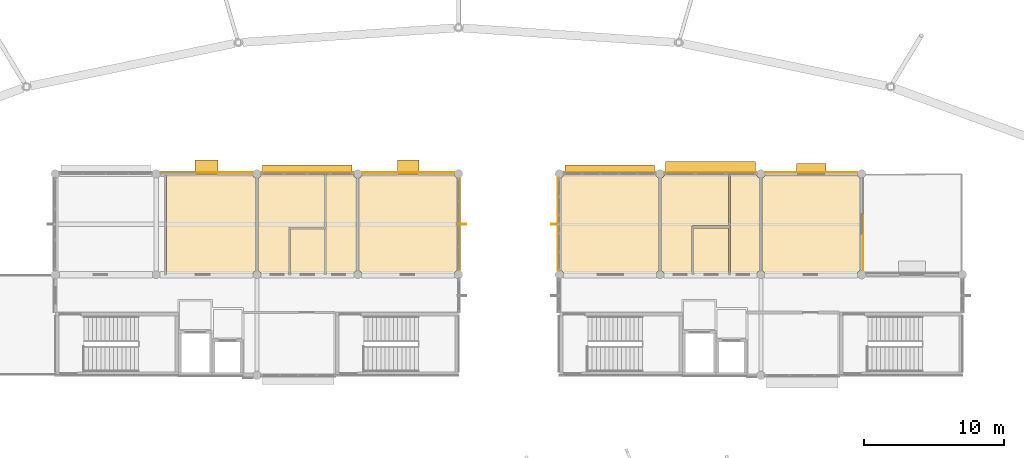
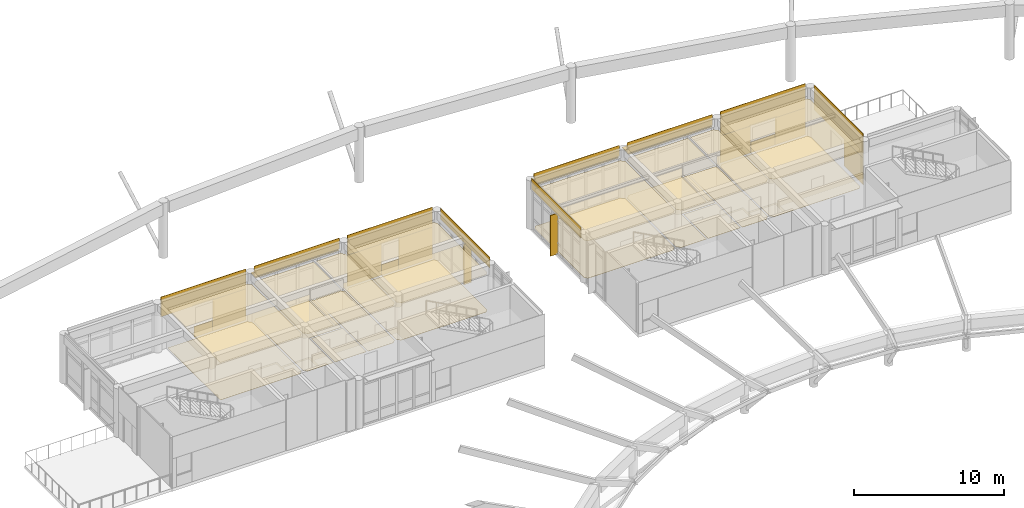
# One storey, part 36 of 37: 38 coverings, 8 shading devices.
"""IFC4 building model written with IfcOpenShell, lengths in metres."""

from ifc_helpers import new_model, si_unit, direction, frame, origin, origin_2d, place, context, subcontext, project, spatial, polyline, rectangle, outline, extrude, material, layer, layer_set, type_object, element, save


model = new_model("IFC4")

# Units and contexts
model_context = context("Model", 3, precision=1e-05, world=origin(), true_north=direction((0.0, 1.0)))
body_context = subcontext(model_context, "Body", "Model", "MODEL_VIEW")
ifc_project = project(units=[si_unit("LENGTHUNIT", "METRE"), si_unit("AREAUNIT", "SQUARE_METRE"), si_unit("VOLUMEUNIT", "CUBIC_METRE"), si_unit("PLANEANGLEUNIT", "RADIAN"), si_unit("MASSUNIT", "GRAM", prefix="KILO")], contexts=[model_context])

# Site, building, storey
site_placement = place(None, origin())
site = spatial("IfcSite", under=ifc_project, at=site_placement, CompositionType="ELEMENT")
building_placement = place(site_placement, origin())
building = spatial("IfcBuilding", under=site, at=building_placement, Name="Namkhue Oval Health Centre", CompositionType="ELEMENT")
storey_placement = place(building_placement, frame((0.0, 0.0, 22.199951171875)))
storey = spatial("IfcBuildingStorey", under=building, at=storey_placement, Name="L05", CompositionType="ELEMENT", Elevation=22.199951171875)

# Coverings
ifc_material_1 = material(Name="Acoustic mineral-fibre cleanroom ceiling", Category="gypsum")
ifc_layer_1 = layer(ifc_material_1, 0.02001953125)
ifc_layer_set_1 = layer_set([ifc_layer_1], Name="Acoustic mineral-fibre cleanroom ceiling")
covering_type_1 = type_object("IfcCoveringType", Name="ACOUSTIC CLEANROOM CEILING 20", PredefinedType="CEILING", material=ifc_layer_set_1)
covering_1_placement = place(storey_placement, frame((0.0, 0.0, 3.050048828125)))
element("IfcCovering", 1, at=covering_1_placement, inside=storey, type_object=covering_type_1, Name="Acoustic Ceiling L05-202 Maternal Antenatal Clinic", PredefinedType="CEILING", context=body_context, shape_type="SweptSolid", body=[
    extrude(outline(polyline([(65.550048828125, 97.280029296875), (65.550048828125, 104.31494140625), (71.702392578125, 104.31494140625), (71.7314453125, 104.2451171875), (71.78076171875, 104.180908203125), (71.844970703125, 104.131591796875), (71.919921875, 104.1005859375), (71.929931640625, 104.09912109375), (71.929931640625, 97.475830078125), (71.857421875, 97.44677734375), (71.798583984375, 97.401611328125), (71.753173828125, 97.342529296875), (71.727294921875, 97.280029296875), (65.550048828125, 97.280029296875)])), origin(), (0.0, 0.0, 1.0), 0.02001953125),
])
covering_2_placement = place(storey_placement, frame((0.0, 0.0, 3.050048828125)))
element("IfcCovering", 2, at=covering_2_placement, inside=storey, type_object=covering_type_1, Name="Acoustic Ceiling L05-203 Baby Care and Lactation Room", PredefinedType="CEILING", context=body_context, shape_type="SweptSolid", body=[
    extrude(outline(polyline([(76.820068359375, 104.31494140625), (76.820068359375, 100.580078125), (74.280029296875, 100.580078125), (74.280029296875, 97.280029296875), (72.272705078125, 97.280029296875), (72.246826171875, 97.342529296875), (72.201416015625, 97.401611328125), (72.142578125, 97.44677734375), (72.070068359375, 97.475830078125), (72.070068359375, 104.09912109375), (72.080078125, 104.1005859375), (72.155029296875, 104.131591796875), (72.21923828125, 104.180908203125), (72.2685546875, 104.2451171875), (72.297607421875, 104.31494140625), (76.820068359375, 104.31494140625)])), origin(), (0.0, 0.0, 1.0), 0.02001953125),
])
covering_3_placement = place(storey_placement, frame((0.0, 0.0, 3.050048828125)))
element("IfcCovering", 3, at=covering_3_placement, inside=storey, type_object=covering_type_1, Name="Acoustic Ceiling L05-204 Accessible WC", PredefinedType="CEILING", context=body_context, shape_type="SweptSolid", body=[
    extrude(outline(polyline([(76.820068359375, 100.4599609375), (76.820068359375, 97.280029296875), (74.39990234375, 97.280029296875), (74.39990234375, 100.4599609375), (76.820068359375, 100.4599609375)])), origin(), (0.0, 0.0, 1.0), 0.02001953125),
])
covering_4_placement = place(storey_placement, frame((0.0, 0.0, 3.050048828125)))
element("IfcCovering", 4, at=covering_4_placement, inside=storey, type_object=covering_type_1, Name="Acoustic Ceiling L05-205 Patient Washroom", PredefinedType="CEILING", context=body_context, shape_type="SweptSolid", body=[
    extrude(outline(polyline([(76.93994140625, 97.280029296875), (76.93994140625, 104.31494140625), (78.902587890625, 104.31494140625), (78.931396484375, 104.2451171875), (78.980712890625, 104.180908203125), (79.044921875, 104.131591796875), (79.119873046875, 104.1005859375), (79.1298828125, 104.09912109375), (79.1298828125, 97.475830078125), (79.0576171875, 97.44677734375), (78.99853515625, 97.401611328125), (78.953125, 97.342529296875), (78.92724609375, 97.280029296875), (76.93994140625, 97.280029296875)])), origin(), (0.0, 0.0, 1.0), 0.02001953125),
])
covering_5_placement = place(storey_placement, frame((0.0, 0.0, 3.050048828125)))
element("IfcCovering", 5, at=covering_5_placement, inside=storey, type_object=covering_type_1, Name="Acoustic Ceiling L05-206 Child Wellness Consultation", PredefinedType="CEILING", context=body_context, shape_type="SweptSolid", body=[
    extrude(outline(polyline([(79.47265625, 97.280029296875), (79.44677734375, 97.342529296875), (79.401611328125, 97.401611328125), (79.342529296875, 97.44677734375), (79.27001953125, 97.475830078125), (79.27001953125, 104.09912109375), (79.2802734375, 104.1005859375), (79.35498046875, 104.131591796875), (79.419189453125, 104.180908203125), (79.468505859375, 104.2451171875), (79.49755859375, 104.31494140625), (86.1025390625, 104.31494140625), (86.131591796875, 104.2451171875), (86.180908203125, 104.180908203125), (86.2451171875, 104.131591796875), (86.2451171875, 97.468505859375), (86.180908203125, 97.419189453125), (86.131591796875, 97.35498046875), (86.1005859375, 97.280029296875), (79.47265625, 97.280029296875)])), origin(), (0.0, 0.0, 1.0), 0.02001953125),
])
covering_6_placement = place(storey_placement, frame((0.0, 0.0, 3.050048828125)))
element("IfcCovering", 6, at=covering_6_placement, inside=storey, type_object=covering_type_1, Name="Acoustic Ceiling L05-301 Community Health Education Hall", PredefinedType="CEILING", context=body_context, shape_type="SweptSolid", body=[
    extrude(outline(polyline([(93.8994140625, 97.280029296875), (93.868408203125, 97.35498046875), (93.819091796875, 97.419189453125), (93.7548828125, 97.468505859375), (93.7548828125, 104.131591796875), (93.819091796875, 104.180908203125), (93.868408203125, 104.2451171875), (93.8974609375, 104.31494140625), (100.50244140625, 104.31494140625), (100.531494140625, 104.2451171875), (100.580810546875, 104.180908203125), (100.64501953125, 104.131591796875), (100.7197265625, 104.1005859375), (100.72998046875, 104.09912109375), (100.72998046875, 97.475830078125), (100.657470703125, 97.44677734375), (100.598388671875, 97.401611328125), (100.55322265625, 97.342529296875), (100.52734375, 97.280029296875), (93.8994140625, 97.280029296875)])), origin(), (0.0, 0.0, 1.0), 0.02001953125),
])
covering_7_placement = place(storey_placement, frame((0.0, 0.0, 3.050048828125)))
element("IfcCovering", 7, at=covering_7_placement, inside=storey, type_object=covering_type_1, Name="Acoustic Ceiling L05-302 Clinical Governance Archive Room", PredefinedType="CEILING", context=body_context, shape_type="SweptSolid", body=[
    extrude(outline(polyline([(105.699951171875, 104.31494140625), (105.699951171875, 100.659912109375), (103.080078125, 100.659912109375), (103.080078125, 97.280029296875), (101.07275390625, 97.280029296875), (101.046875, 97.342529296875), (101.00146484375, 97.401611328125), (100.9423828125, 97.44677734375), (100.8701171875, 97.475830078125), (100.8701171875, 104.09912109375), (100.880126953125, 104.1005859375), (100.955078125, 104.131591796875), (101.019287109375, 104.180908203125), (101.068603515625, 104.2451171875), (101.097412109375, 104.31494140625), (105.699951171875, 104.31494140625)])), origin(), (0.0, 0.0, 1.0), 0.02001953125),
])
covering_8_placement = place(storey_placement, frame((0.0, 0.0, 3.050048828125)))
element("IfcCovering", 8, at=covering_8_placement, inside=storey, type_object=covering_type_1, Name="Acoustic Ceiling L05-303 Accessible WC", PredefinedType="CEILING", context=body_context, shape_type="SweptSolid", body=[
    extrude(outline(polyline([(105.699951171875, 100.5400390625), (105.699951171875, 97.280029296875), (103.199951171875, 97.280029296875), (103.199951171875, 100.5400390625), (105.699951171875, 100.5400390625)])), origin(), (0.0, 0.0, 1.0), 0.02001953125),
])
covering_9_placement = place(storey_placement, frame((0.0, 0.0, 3.050048828125)))
element("IfcCovering", 9, at=covering_9_placement, inside=storey, type_object=covering_type_1, Name="Acoustic Ceiling L05-304 Public Washroom", PredefinedType="CEILING", context=body_context, shape_type="SweptSolid", body=[
    extrude(outline(polyline([(105.820068359375, 97.280029296875), (105.820068359375, 104.31494140625), (107.702392578125, 104.31494140625), (107.7314453125, 104.2451171875), (107.78076171875, 104.180908203125), (107.844970703125, 104.131591796875), (107.919921875, 104.1005859375), (107.929931640625, 104.09912109375), (107.929931640625, 97.475830078125), (107.857421875, 97.44677734375), (107.798583984375, 97.401611328125), (107.753173828125, 97.342529296875), (107.727294921875, 97.280029296875), (105.820068359375, 97.280029296875)])), origin(), (0.0, 0.0, 1.0), 0.02001953125),
])
covering_10_placement = place(storey_placement, frame((0.0, 0.0, 3.050048828125)))
element("IfcCovering", 10, at=covering_10_placement, inside=storey, type_object=covering_type_1, Name="Acoustic Ceiling L05-305 Medical Records Archive Store", PredefinedType="CEILING", context=body_context, shape_type="SweptSolid", body=[
    extrude(outline(polyline([(108.272705078125, 97.280029296875), (108.246826171875, 97.342529296875), (108.201416015625, 97.401611328125), (108.142578125, 97.44677734375), (108.070068359375, 97.475830078125), (108.070068359375, 104.09912109375), (108.080078125, 104.1005859375), (108.155029296875, 104.131591796875), (108.21923828125, 104.180908203125), (108.2685546875, 104.2451171875), (108.297607421875, 104.31494140625), (114.902587890625, 104.31494140625), (114.931396484375, 104.2451171875), (114.980712890625, 104.180908203125), (115.044921875, 104.131591796875), (115.044921875, 97.468505859375), (114.980712890625, 97.419189453125), (114.931396484375, 97.35498046875), (114.900390625, 97.280029296875), (108.272705078125, 97.280029296875)])), origin(), (0.0, 0.0, 1.0), 0.02001953125),
])
ifc_material_2 = material(Name="Homogeneous anti-bacterial clinical vinyl flooring", Category="plastic")
ifc_layer_2 = layer(ifc_material_2, 0.014892578125)
ifc_layer_set_2 = layer_set([ifc_layer_2], Name="Homogeneous anti-bacterial clinical vinyl flooring")
covering_type_2 = type_object("IfcCoveringType", Name="CLINICAL ANTIBACTERIAL VINYL FLOORING 15", PredefinedType="FLOORING", material=ifc_layer_set_2)
covering_11_placement = place(storey_placement, origin())
element("IfcCovering", 11, at=covering_11_placement, inside=storey, type_object=covering_type_2, Name="Clinical Flooring L05-202 Maternal Antenatal Clinic", PredefinedType="FLOORING", context=body_context, shape_type="SweptSolid", body=[
    extrude(outline(polyline([(65.550048828125, 97.280029296875), (65.550048828125, 104.31494140625), (71.702392578125, 104.31494140625), (71.7314453125, 104.2451171875), (71.78076171875, 104.180908203125), (71.844970703125, 104.131591796875), (71.919921875, 104.1005859375), (71.929931640625, 104.09912109375), (71.929931640625, 97.475830078125), (71.857421875, 97.44677734375), (71.798583984375, 97.401611328125), (71.753173828125, 97.342529296875), (71.727294921875, 97.280029296875), (65.550048828125, 97.280029296875)])), origin(), (0.0, 0.0, 1.0), 0.01513671875),
])
covering_12_placement = place(storey_placement, origin())
element("IfcCovering", 12, at=covering_12_placement, inside=storey, type_object=covering_type_2, Name="Clinical Flooring L05-203 Baby Care and Lactation Room", PredefinedType="FLOORING", context=body_context, shape_type="SweptSolid", body=[
    extrude(outline(polyline([(76.820068359375, 104.31494140625), (76.820068359375, 100.580078125), (74.280029296875, 100.580078125), (74.280029296875, 97.280029296875), (72.272705078125, 97.280029296875), (72.246826171875, 97.342529296875), (72.201416015625, 97.401611328125), (72.142578125, 97.44677734375), (72.070068359375, 97.475830078125), (72.070068359375, 104.09912109375), (72.080078125, 104.1005859375), (72.155029296875, 104.131591796875), (72.21923828125, 104.180908203125), (72.2685546875, 104.2451171875), (72.297607421875, 104.31494140625), (76.820068359375, 104.31494140625)])), origin(), (0.0, 0.0, 1.0), 0.01513671875),
])
covering_13_placement = place(storey_placement, origin())
element("IfcCovering", 13, at=covering_13_placement, inside=storey, type_object=covering_type_2, Name="Clinical Flooring L05-204 Accessible WC", PredefinedType="FLOORING", context=body_context, shape_type="SweptSolid", body=[
    extrude(outline(polyline([(76.820068359375, 100.4599609375), (76.820068359375, 97.280029296875), (74.39990234375, 97.280029296875), (74.39990234375, 100.4599609375), (76.820068359375, 100.4599609375)])), origin(), (0.0, 0.0, 1.0), 0.01513671875),
])
covering_14_placement = place(storey_placement, origin())
element("IfcCovering", 14, at=covering_14_placement, inside=storey, type_object=covering_type_2, Name="Clinical Flooring L05-205 Patient Washroom", PredefinedType="FLOORING", context=body_context, shape_type="SweptSolid", body=[
    extrude(outline(polyline([(76.93994140625, 97.280029296875), (76.93994140625, 104.31494140625), (78.902587890625, 104.31494140625), (78.931396484375, 104.2451171875), (78.980712890625, 104.180908203125), (79.044921875, 104.131591796875), (79.119873046875, 104.1005859375), (79.1298828125, 104.09912109375), (79.1298828125, 97.475830078125), (79.0576171875, 97.44677734375), (78.99853515625, 97.401611328125), (78.953125, 97.342529296875), (78.92724609375, 97.280029296875), (76.93994140625, 97.280029296875)])), origin(), (0.0, 0.0, 1.0), 0.01513671875),
])
covering_15_placement = place(storey_placement, origin())
element("IfcCovering", 15, at=covering_15_placement, inside=storey, type_object=covering_type_2, Name="Clinical Flooring L05-206 Child Wellness Consultation", PredefinedType="FLOORING", context=body_context, shape_type="SweptSolid", body=[
    extrude(outline(polyline([(79.47265625, 97.280029296875), (79.44677734375, 97.342529296875), (79.401611328125, 97.401611328125), (79.342529296875, 97.44677734375), (79.27001953125, 97.475830078125), (79.27001953125, 104.09912109375), (79.2802734375, 104.1005859375), (79.35498046875, 104.131591796875), (79.419189453125, 104.180908203125), (79.468505859375, 104.2451171875), (79.49755859375, 104.31494140625), (86.1025390625, 104.31494140625), (86.131591796875, 104.2451171875), (86.180908203125, 104.180908203125), (86.2451171875, 104.131591796875), (86.2451171875, 97.468505859375), (86.180908203125, 97.419189453125), (86.131591796875, 97.35498046875), (86.1005859375, 97.280029296875), (79.47265625, 97.280029296875)])), origin(), (0.0, 0.0, 1.0), 0.01513671875),
])
covering_16_placement = place(storey_placement, origin())
element("IfcCovering", 16, at=covering_16_placement, inside=storey, type_object=covering_type_2, Name="Clinical Flooring L05-301 Community Health Education Hall", PredefinedType="FLOORING", context=body_context, shape_type="SweptSolid", body=[
    extrude(outline(polyline([(93.8994140625, 97.280029296875), (93.868408203125, 97.35498046875), (93.819091796875, 97.419189453125), (93.7548828125, 97.468505859375), (93.7548828125, 104.131591796875), (93.819091796875, 104.180908203125), (93.868408203125, 104.2451171875), (93.8974609375, 104.31494140625), (100.50244140625, 104.31494140625), (100.531494140625, 104.2451171875), (100.580810546875, 104.180908203125), (100.64501953125, 104.131591796875), (100.7197265625, 104.1005859375), (100.72998046875, 104.09912109375), (100.72998046875, 97.475830078125), (100.657470703125, 97.44677734375), (100.598388671875, 97.401611328125), (100.55322265625, 97.342529296875), (100.52734375, 97.280029296875), (93.8994140625, 97.280029296875)])), origin(), (0.0, 0.0, 1.0), 0.01513671875),
])
covering_17_placement = place(storey_placement, origin())
element("IfcCovering", 17, at=covering_17_placement, inside=storey, type_object=covering_type_2, Name="Clinical Flooring L05-302 Clinical Governance Archive Room", PredefinedType="FLOORING", context=body_context, shape_type="SweptSolid", body=[
    extrude(outline(polyline([(105.699951171875, 104.31494140625), (105.699951171875, 100.659912109375), (103.080078125, 100.659912109375), (103.080078125, 97.280029296875), (101.07275390625, 97.280029296875), (101.046875, 97.342529296875), (101.00146484375, 97.401611328125), (100.9423828125, 97.44677734375), (100.8701171875, 97.475830078125), (100.8701171875, 104.09912109375), (100.880126953125, 104.1005859375), (100.955078125, 104.131591796875), (101.019287109375, 104.180908203125), (101.068603515625, 104.2451171875), (101.097412109375, 104.31494140625), (105.699951171875, 104.31494140625)])), origin(), (0.0, 0.0, 1.0), 0.01513671875),
])
covering_18_placement = place(storey_placement, origin())
element("IfcCovering", 18, at=covering_18_placement, inside=storey, type_object=covering_type_2, Name="Clinical Flooring L05-303 Accessible WC", PredefinedType="FLOORING", context=body_context, shape_type="SweptSolid", body=[
    extrude(outline(polyline([(105.699951171875, 100.5400390625), (105.699951171875, 97.280029296875), (103.199951171875, 97.280029296875), (103.199951171875, 100.5400390625), (105.699951171875, 100.5400390625)])), origin(), (0.0, 0.0, 1.0), 0.01513671875),
])
covering_19_placement = place(storey_placement, origin())
element("IfcCovering", 19, at=covering_19_placement, inside=storey, type_object=covering_type_2, Name="Clinical Flooring L05-304 Public Washroom", PredefinedType="FLOORING", context=body_context, shape_type="SweptSolid", body=[
    extrude(outline(polyline([(105.820068359375, 97.280029296875), (105.820068359375, 104.31494140625), (107.702392578125, 104.31494140625), (107.7314453125, 104.2451171875), (107.78076171875, 104.180908203125), (107.844970703125, 104.131591796875), (107.919921875, 104.1005859375), (107.929931640625, 104.09912109375), (107.929931640625, 97.475830078125), (107.857421875, 97.44677734375), (107.798583984375, 97.401611328125), (107.753173828125, 97.342529296875), (107.727294921875, 97.280029296875), (105.820068359375, 97.280029296875)])), origin(), (0.0, 0.0, 1.0), 0.01513671875),
])
covering_20_placement = place(storey_placement, origin())
element("IfcCovering", 20, at=covering_20_placement, inside=storey, type_object=covering_type_2, Name="Clinical Flooring L05-305 Medical Records Archive Store", PredefinedType="FLOORING", context=body_context, shape_type="SweptSolid", body=[
    extrude(outline(polyline([(108.272705078125, 97.280029296875), (108.246826171875, 97.342529296875), (108.201416015625, 97.401611328125), (108.142578125, 97.44677734375), (108.070068359375, 97.475830078125), (108.070068359375, 104.09912109375), (108.080078125, 104.1005859375), (108.155029296875, 104.131591796875), (108.21923828125, 104.180908203125), (108.2685546875, 104.2451171875), (108.297607421875, 104.31494140625), (114.902587890625, 104.31494140625), (114.931396484375, 104.2451171875), (114.980712890625, 104.180908203125), (115.044921875, 104.131591796875), (115.044921875, 97.468505859375), (114.980712890625, 97.419189453125), (114.931396484375, 97.35498046875), (114.900390625, 97.280029296875), (108.272705078125, 97.280029296875)])), origin(), (0.0, 0.0, 1.0), 0.01513671875),
])

# Shading devices
ifc_material_3 = material(Name="Anodised aluminium EN AW-6063 T6", Category="aluminium")
ifc_layer_3 = layer(ifc_material_3, 0.06005859375)
ifc_layer_set_3 = layer_set([ifc_layer_3], Name="Anodised aluminium EN AW-6063 T6")
shading_device_type_1 = type_object("IfcShadingDeviceType", Name="MONSOON SUN LOUVRE 900", PredefinedType="JALOUSIE", material=ifc_layer_set_3)
shading_device_1_placement = place(storey_placement, frame((82.800048828125, 104.929931640625, 2.580078125), z_axis=(0.0, 0.0, 1.0), x_axis=(-1.0, 0.0, 0.0)))
element("IfcShadingDevice", 21, at=shading_device_1_placement, inside=storey, type_object=shading_device_type_1, Name="Volume V2 L05 Window Monsoon Louvre 112", PredefinedType="JALOUSIE", context=body_context, shape_type="SweptSolid", body=[
    extrude(rectangle(XDim=1.5400390625, YDim=0.89990234375, at=origin_2d()), origin(), (0.0, 0.0, 1.0), 0.06005859375),
])
shading_device_2_placement = place(storey_placement, frame((68.39990234375, 104.93505859375, 2.580078125), z_axis=(0.0, 0.0, 1.0), x_axis=(-1.0, 0.0, 0.0)))
element("IfcShadingDevice", 22, at=shading_device_2_placement, inside=storey, type_object=shading_device_type_1, Name="Volume V2 L05 Window Monsoon Louvre 114", PredefinedType="JALOUSIE", context=body_context, shape_type="SweptSolid", body=[
    extrude(rectangle(XDim=1.639892578125, YDim=0.89990234375, at=origin_2d()), origin(), (0.0, 0.0, 1.0), 0.06005859375),
])
shading_device_3_placement = place(storey_placement, frame((104.39990234375, 104.85009765625, 3.25), z_axis=(0.0, 0.0, 1.0), x_axis=(-1.0, 0.0, 0.0)))
element("IfcShadingDevice", 23, at=shading_device_3_placement, inside=storey, type_object=shading_device_type_1, Name="Volume V3 L05 Horizontal Monsoon Sun Louvre 176", PredefinedType="JALOUSIE", context=body_context, shape_type="SweptSolid", body=[
    extrude(rectangle(XDim=6.409912109375, YDim=0.89990234375, at=origin_2d()), origin(), (0.0, 0.0, 1.0), 0.06005859375),
])
ifc_layer_4 = layer(ifc_material_3, 0.050048828125)
ifc_layer_set_4 = layer_set([ifc_layer_4], Name="Anodised aluminium EN AW-6063 T6")
shading_device_type_2 = type_object("IfcShadingDeviceType", Name="STORM SHUTTER LOUVRE 650", PredefinedType="SHUTTER", material=ifc_layer_set_4)
shading_device_4_placement = place(storey_placement, frame((75.60009765625, 104.72509765625, 3.255126953125), z_axis=(0.0, 0.0, 1.0), x_axis=(-1.0, 0.0, 0.0)))
element("IfcShadingDevice", 24, at=shading_device_4_placement, inside=storey, type_object=shading_device_type_2, Name="Volume V2 L05 Horizontal Monsoon Sun Louvre 113", PredefinedType="SHUTTER", context=body_context, shape_type="SweptSolid", body=[
    extrude(rectangle(XDim=6.409912109375, YDim=0.64990234375, at=origin_2d()), origin(), (0.0, 0.0, 1.0), 0.06005859375),
])
shading_device_5_placement = place(storey_placement, frame((111.60009765625, 104.820068359375, 2.219970703125), z_axis=(0.0, 0.0, 1.0), x_axis=(-1.0, 0.0, 0.0)))
element("IfcShadingDevice", 25, at=shading_device_5_placement, inside=storey, type_object=shading_device_type_2, Name="Volume V3 L05 Window Monsoon Louvre 175", PredefinedType="SHUTTER", context=body_context, shape_type="SweptSolid", body=[
    extrude(rectangle(XDim=2.090087890625, YDim=0.64990234375, at=origin_2d()), origin(), (0.0, 0.0, 1.0), 0.06005859375),
])
shading_device_6_placement = place(storey_placement, frame((97.199951171875, 104.72509765625, 3.25), z_axis=(0.0, 0.0, 1.0), x_axis=(-1.0, 0.0, 0.0)))
element("IfcShadingDevice", 26, at=shading_device_6_placement, inside=storey, type_object=shading_device_type_2, Name="Volume V3 L05 Horizontal Monsoon Sun Louvre 177", PredefinedType="SHUTTER", context=body_context, shape_type="SweptSolid", body=[
    extrude(rectangle(XDim=6.409912109375, YDim=0.64990234375, at=origin_2d()), origin(), (0.0, 0.0, 1.0), 0.06005859375),
])
shading_device_type_3 = type_object("IfcShadingDeviceType", Name="VERTICAL SOLAR FIN 600", PredefinedType="USERDEFINED", material=ifc_material_3)
shading_device_7_placement = place(storey_placement, frame((86.659912109375, 100.800048828125, 0.0), z_axis=(0.0, 0.0, 1.0), x_axis=(1.0, 0.0, 0.0)))
element("IfcShadingDevice", 27, at=shading_device_7_placement, inside=storey, type_object=shading_device_type_3, Name="Volume V2 L05 Extruded Aluminium Solar Fin 111", ObjectType="SOLAR FIN", PredefinedType="USERDEFINED", context=body_context, shape_type="SweptSolid", body=[
    extrude(rectangle(XDim=0.60009765625, YDim=0.06005859375, at=origin_2d()), origin(), (0.0, 0.0, 1.0), 3.324951171875),
])
shading_device_8_placement = place(storey_placement, frame((93.340087890625, 100.800048828125, 0.0), z_axis=(0.0, 0.0, 1.0), x_axis=(-1.0, 0.0, 0.0)))
element("IfcShadingDevice", 28, at=shading_device_8_placement, inside=storey, type_object=shading_device_type_3, Name="Volume V3 L05 Extruded Aluminium Solar Fin 178", ObjectType="SOLAR FIN", PredefinedType="USERDEFINED", context=body_context, shape_type="SweptSolid", body=[
    extrude(rectangle(XDim=0.60009765625, YDim=0.06005859375, at=origin_2d()), origin(), (0.0, 0.0, 1.0), 3.320068359375),
])

# Coverings
ifc_material_4 = material(Name="White glass-fibre reinforced concrete GRC rainscreen cladding", Category="concrete")
ifc_layer_5 = layer(ifc_material_4, 0.02490234375)
ifc_layer_set_5 = layer_set([ifc_layer_5], Name="White glass-fibre reinforced concrete GRC rainscreen cladding")
covering_type_3 = type_object("IfcCoveringType", Name="WHITE GRC RAINSCREEN CLADDING 25", PredefinedType="CLADDING", material=ifc_layer_set_5)
covering_21_placement = place(storey_placement, frame((86.488525390625, 100.800048828125, 3.31005859375), z_axis=(0.0, 0.0, 1.0), x_axis=(0.0, 1.0, 0.0)))
element("IfcCovering", 29, at=covering_21_placement, inside=storey, type_object=covering_type_3, Name="Volume V2 L05 Curtain Wall Spandrel Cladding 87", PredefinedType="CLADDING", context=body_context, shape_type="SweptSolid", body=[
    extrude(rectangle(XDim=6.60009765625, YDim=0.02490234375, at=origin_2d()), origin(), (0.0, 0.0, 1.0), 0.889892578125),
])
covering_22_placement = place(storey_placement, frame((82.800048828125, 104.501953125, 2.5751953125), z_axis=(0.0, 0.0, 1.0), x_axis=(-1.0, 0.0, 0.0)))
element("IfcCovering", 30, at=covering_22_placement, inside=storey, type_object=covering_type_3, Name="Volume V2 L05 Facade 49 White GRC Cladding 1", PredefinedType="CLADDING", context=body_context, shape_type="SweptSolid", body=[
    extrude(rectangle(XDim=6.570068359375, YDim=0.02490234375, at=origin_2d()), origin(), (0.0, 0.0, 1.0), 1.614990234375),
])
covering_23_placement = place(storey_placement, frame((84.77490234375, 104.501953125, 0.010009765625), z_axis=(0.0, 0.0, 1.0), x_axis=(-1.0, 0.0, 0.0)))
element("IfcCovering", 31, at=covering_23_placement, inside=storey, type_object=covering_type_3, Name="Volume V2 L05 Facade 49 White GRC Cladding 2", PredefinedType="CLADDING", context=body_context, shape_type="SweptSolid", body=[
    extrude(rectangle(XDim=2.6201171875, YDim=0.02490234375, at=origin_2d()), origin(), (0.0, 0.0, 1.0), 2.56005859375),
])
covering_24_placement = place(storey_placement, frame((82.800048828125, 104.501953125, 0.010009765625), z_axis=(0.0, 0.0, 1.0), x_axis=(-1.0, 0.0, 0.0)))
element("IfcCovering", 32, at=covering_24_placement, inside=storey, type_object=covering_type_3, Name="Volume V2 L05 Facade 49 White GRC Cladding 3", PredefinedType="CLADDING", context=body_context, shape_type="SweptSolid", body=[
    extrude(rectangle(XDim=1.320068359375, YDim=0.02490234375, at=origin_2d()), origin(), (0.0, 0.0, 1.0), 0.875),
])
covering_25_placement = place(storey_placement, frame((80.824951171875, 104.501953125, 0.010009765625), z_axis=(0.0, 0.0, 1.0), x_axis=(-1.0, 0.0, 0.0)))
element("IfcCovering", 33, at=covering_25_placement, inside=storey, type_object=covering_type_3, Name="Volume V2 L05 Facade 49 White GRC Cladding 4", PredefinedType="CLADDING", context=body_context, shape_type="SweptSolid", body=[
    extrude(rectangle(XDim=2.6201171875, YDim=0.02490234375, at=origin_2d()), origin(), (0.0, 0.0, 1.0), 2.56005859375),
])
covering_26_placement = place(storey_placement, frame((75.60009765625, 104.488525390625, 3.31005859375), z_axis=(0.0, 0.0, 1.0), x_axis=(-1.0, 0.0, 0.0)))
element("IfcCovering", 34, at=covering_26_placement, inside=storey, type_object=covering_type_3, Name="Volume V2 L05 Curtain Wall Spandrel Cladding 88", PredefinedType="CLADDING", context=body_context, shape_type="SweptSolid", body=[
    extrude(rectangle(XDim=6.60009765625, YDim=0.02490234375, at=origin_2d()), origin(), (0.0, 0.0, 1.0), 0.889892578125),
])
covering_27_placement = place(storey_placement, frame((68.39990234375, 104.507080078125, 2.5751953125), z_axis=(0.0, 0.0, 1.0), x_axis=(-1.0, 0.0, 0.0)))
element("IfcCovering", 35, at=covering_27_placement, inside=storey, type_object=covering_type_3, Name="Volume V2 L05 Facade 50 White GRC Cladding 1", PredefinedType="CLADDING", context=body_context, shape_type="SweptSolid", body=[
    extrude(rectangle(XDim=6.570068359375, YDim=0.02490234375, at=origin_2d()), origin(), (0.0, 0.0, 1.0), 1.614990234375),
])
covering_28_placement = place(storey_placement, frame((70.39990234375, 104.507080078125, 0.010009765625), z_axis=(0.0, 0.0, 1.0), x_axis=(-1.0, 0.0, 0.0)))
element("IfcCovering", 36, at=covering_28_placement, inside=storey, type_object=covering_type_3, Name="Volume V2 L05 Facade 50 White GRC Cladding 2", PredefinedType="CLADDING", context=body_context, shape_type="SweptSolid", body=[
    extrude(rectangle(XDim=2.570068359375, YDim=0.02490234375, at=origin_2d()), origin(), (0.0, 0.0, 1.0), 2.56005859375),
])
covering_29_placement = place(storey_placement, frame((68.39990234375, 104.507080078125, 0.010009765625), z_axis=(0.0, 0.0, 1.0), x_axis=(-1.0, 0.0, 0.0)))
element("IfcCovering", 37, at=covering_29_placement, inside=storey, type_object=covering_type_3, Name="Volume V2 L05 Facade 50 White GRC Cladding 3", PredefinedType="CLADDING", context=body_context, shape_type="SweptSolid", body=[
    extrude(rectangle(XDim=1.419921875, YDim=0.02490234375, at=origin_2d()), origin(), (0.0, 0.0, 1.0), 0.875),
])
covering_30_placement = place(storey_placement, frame((115.31201171875, 100.800048828125, 2.17529296875), z_axis=(0.0, 0.0, 1.0), x_axis=(0.0, 1.0, 0.0)))
element("IfcCovering", 38, at=covering_30_placement, inside=storey, type_object=covering_type_3, Name="Volume V3 L05 Facade 83 White GRC Cladding 1", PredefinedType="CLADDING", context=body_context, shape_type="SweptSolid", body=[
    extrude(rectangle(XDim=6.570068359375, YDim=0.02490234375, at=origin_2d()), origin(), (0.0, 0.0, 1.0), 2.014892578125),
])
covering_31_placement = place(storey_placement, frame((115.31201171875, 98.7900390625, 0.01025390625), z_axis=(0.0, 0.0, 1.0), x_axis=(0.0, 1.0, 0.0)))
element("IfcCovering", 39, at=covering_31_placement, inside=storey, type_object=covering_type_3, Name="Volume V3 L05 Facade 83 White GRC Cladding 2", PredefinedType="CLADDING", context=body_context, shape_type="SweptSolid", body=[
    extrude(rectangle(XDim=2.550048828125, YDim=0.02490234375, at=origin_2d()), origin(), (0.0, 0.0, 1.0), 2.159912109375),
])
covering_32_placement = place(storey_placement, frame((111.60009765625, 104.51708984375, 2.215087890625), z_axis=(0.0, 0.0, 1.0), x_axis=(-1.0, 0.0, 0.0)))
element("IfcCovering", 40, at=covering_32_placement, inside=storey, type_object=covering_type_3, Name="Volume V3 L05 Facade 84 White GRC Cladding 1", PredefinedType="CLADDING", context=body_context, shape_type="SweptSolid", body=[
    extrude(rectangle(XDim=6.570068359375, YDim=0.02490234375, at=origin_2d()), origin(), (0.0, 0.0, 1.0), 1.97509765625),
])
covering_33_placement = place(storey_placement, frame((113.71240234375, 104.51708984375, 0.01025390625), z_axis=(0.0, 0.0, 1.0), x_axis=(-1.0, 0.0, 0.0)))
element("IfcCovering", 41, at=covering_33_placement, inside=storey, type_object=covering_type_3, Name="Volume V3 L05 Facade 84 White GRC Cladding 2", PredefinedType="CLADDING", context=body_context, shape_type="SweptSolid", body=[
    extrude(rectangle(XDim=2.344970703125, YDim=0.02490234375, at=origin_2d()), origin(), (0.0, 0.0, 1.0), 2.199951171875),
])
covering_34_placement = place(storey_placement, frame((111.60009765625, 104.51708984375, 0.010009765625), z_axis=(0.0, 0.0, 1.0), x_axis=(-1.0, 0.0, 0.0)))
element("IfcCovering", 42, at=covering_34_placement, inside=storey, type_object=covering_type_3, Name="Volume V3 L05 Facade 84 White GRC Cladding 3", PredefinedType="CLADDING", context=body_context, shape_type="SweptSolid", body=[
    extrude(rectangle(XDim=1.8701171875, YDim=0.02490234375, at=origin_2d()), origin(), (0.0, 0.0, 1.0), 0.875),
])
covering_35_placement = place(storey_placement, frame((109.487548828125, 104.51708984375, 0.01025390625), z_axis=(0.0, 0.0, 1.0), x_axis=(-1.0, 0.0, 0.0)))
element("IfcCovering", 43, at=covering_35_placement, inside=storey, type_object=covering_type_3, Name="Volume V3 L05 Facade 84 White GRC Cladding 4", PredefinedType="CLADDING", context=body_context, shape_type="SweptSolid", body=[
    extrude(rectangle(XDim=2.344970703125, YDim=0.02490234375, at=origin_2d()), origin(), (0.0, 0.0, 1.0), 2.199951171875),
])
for number, where, z_axis, x_axis, name in (
    (44, (104.39990234375, 104.488525390625, 3.304931640625), (0.0, 0.0, 1.0), (-1.0, 0.0, 0.0), "Volume V3 L05 Curtain Wall Spandrel Cladding 132"),
    (45, (97.199951171875, 104.488525390625, 3.304931640625), (0.0, 0.0, 1.0), (-1.0, 0.0, 0.0), "Volume V3 L05 Curtain Wall Spandrel Cladding 133"),
    (46, (93.511474609375, 100.800048828125, 3.304931640625), (0.0, 0.0, 1.0), (0.0, -1.0, 0.0), "Volume V3 L05 Curtain Wall Spandrel Cladding 134"),
):
    element("IfcCovering", number, at=place(storey_placement, frame(where, z_axis=z_axis, x_axis=x_axis)), inside=storey, type_object=covering_type_3, Name=name, PredefinedType="CLADDING", context=body_context, shape_type="SweptSolid", body=[
        extrude(rectangle(XDim=6.60009765625, YDim=0.02490234375, at=origin_2d()), origin(), (0.0, 0.0, 1.0), 0.89501953125),
    ])

save(model, "model.ifc")
